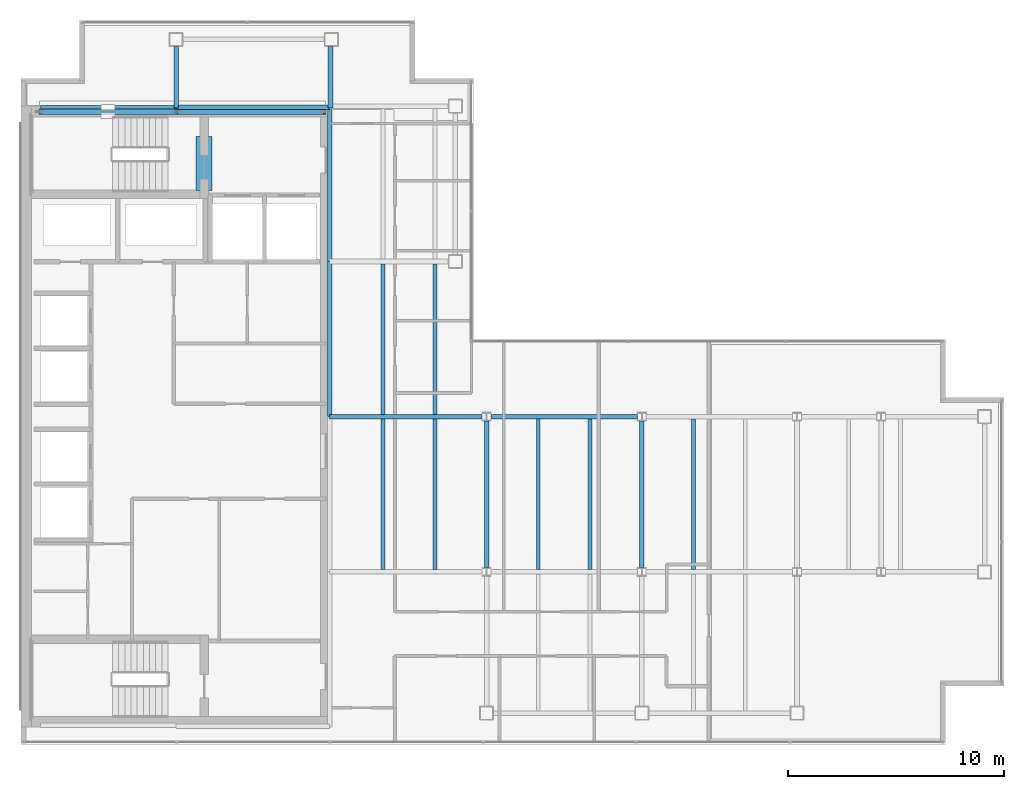
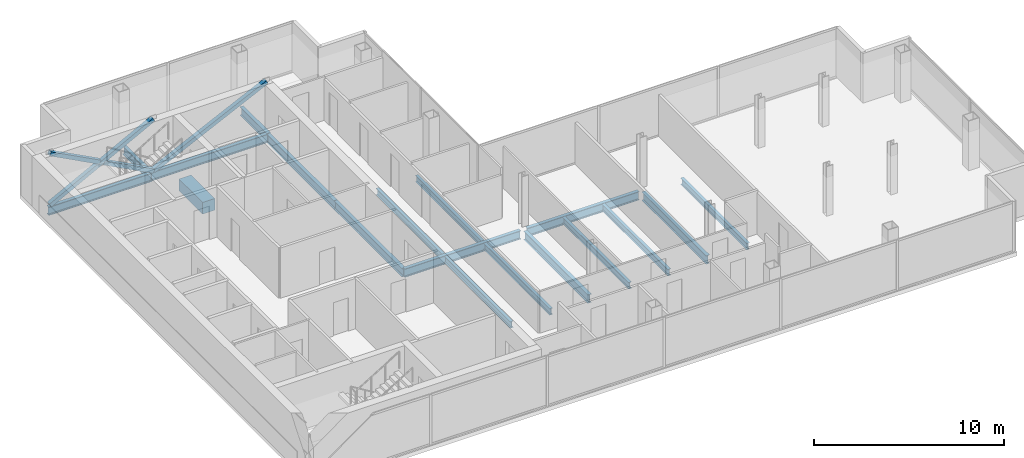
# One storey, part 7 of 23: 18 beams, 4 members.
"""IFC4 building model written with IfcOpenShell, lengths in metres."""

from ifc_helpers import new_model, si_unit, direction, frame, origin, origin_2d, place, context, subcontext, project, spatial, rectangle, hollow_rectangle, i_section, extrude, material, material_profile, profile_set, type_object, element, save


model = new_model("IFC4")

# Units and contexts
model_context = context("Model", 3, precision=1e-05, world=origin(), true_north=direction((0.0, 1.0)))
body_context = subcontext(model_context, "Body", "Model", "MODEL_VIEW")
ifc_project = project(units=[si_unit("LENGTHUNIT", "METRE"), si_unit("AREAUNIT", "SQUARE_METRE"), si_unit("VOLUMEUNIT", "CUBIC_METRE"), si_unit("PLANEANGLEUNIT", "RADIAN"), si_unit("MASSUNIT", "GRAM", prefix="KILO")], contexts=[model_context])

# Site, building, storey
site_placement = place(None, origin())
site = spatial("IfcSite", under=ifc_project, at=site_placement, CompositionType="ELEMENT")
building_placement = place(site_placement, origin())
building = spatial("IfcBuilding", under=site, at=building_placement, Name="Cobrela Telecom Tower", CompositionType="ELEMENT")
storey_placement = place(building_placement, frame((0.0, 0.0, 286.64990234375)))
storey = spatial("IfcBuildingStorey", under=building, at=storey_placement, Name="L75", CompositionType="ELEMENT", Elevation=286.64990234375)

# Beams
ifc_material_1 = material(Name="Concrete C40/50", Category="concrete")
ifc_material_profile_1 = material_profile(ifc_material_1, rectangle(XDim=0.75, YDim=0.75, at=origin_2d()), Name="RC 750x750")
ifc_profile_set_1 = profile_set([ifc_material_profile_1], Name="Concrete C40/50")
beam_type_1 = type_object("IfcBeamType", Name="BM-COUP-RC", PredefinedType="LINTEL", material=ifc_profile_set_1)
beam_1_placement = place(storey_placement, frame((8.5, 32.10009765625, -0.60986328125), z_axis=(0.0, 1.0, 0.0), x_axis=(-1.0, 0.0, 0.0)))
element("IfcBeam", 1, at=beam_1_placement, inside=storey, type_object=beam_type_1, Name="L75 Core Coupling Lintel Beam", PredefinedType="LINTEL", context=body_context, shape_type="SweptSolid", body=[
    extrude(rectangle(XDim=0.75, YDim=0.75, at=origin_2d()), origin(), (0.0, 0.0, 1.0), 2.5),
])
ifc_material_2 = material(Name="Steel ASTM A992 Grade 50", Category="steel")
ifc_material_profile_2 = material_profile(ifc_material_2, i_section(OverallWidth=0.212890625, OverallDepth=0.549072265625, WebThickness=0.0146484375, FlangeThickness=0.023681640625, FilletRadius=0.013916015625, at=origin_2d()), Name="W21X93")
ifc_profile_set_2 = profile_set([ifc_material_profile_2], Name="Steel ASTM A992 Grade 50")
beam_type_2 = type_object("IfcBeamType", Name="BM-GIRD-08", PredefinedType="USERDEFINED", material=ifc_profile_set_2)
beam_2_placement = place(storey_placement, frame((14.324951171875, 21.60009765625, -0.534423828125), z_axis=(1.0, 0.0, 0.0), x_axis=(0.0, 1.0, 0.0)))
element("IfcBeam", 2, at=beam_2_placement, inside=storey, type_object=beam_type_2, Name="L75 Primary Girder X10", ObjectType="GIRDER", PredefinedType="USERDEFINED", context=body_context, shape_type="SweptSolid", body=[
    extrude(i_section(OverallWidth=0.212890625, OverallDepth=0.549072265625, WebThickness=0.0146484375, FlangeThickness=0.023681640625, FilletRadius=0.013916015625, at=origin_2d()), origin(), (0.0, 0.0, 1.0), 7.070556640625),
])
beam_3_placement = place(storey_placement, frame((21.804443359375, 21.60009765625, -0.534423828125), z_axis=(1.0, 0.0, 0.0), x_axis=(0.0, 1.0, 0.0)))
element("IfcBeam", 3, at=beam_3_placement, inside=storey, type_object=beam_type_2, Name="L75 Primary Girder X11", ObjectType="GIRDER", PredefinedType="USERDEFINED", context=body_context, shape_type="SweptSolid", body=[
    extrude(i_section(OverallWidth=0.212890625, OverallDepth=0.549072265625, WebThickness=0.0146484375, FlangeThickness=0.023681640625, FilletRadius=0.013916015625, at=origin_2d()), origin(), (0.0, 0.0, 1.0), 6.791015625),
])
beam_4_placement = place(storey_placement, frame((0.905029296875, 35.919921875, -0.534423828125), z_axis=(1.0, 0.0, 0.0), x_axis=(0.0, 1.0, 0.0)))
element("IfcBeam", 4, at=beam_4_placement, inside=storey, type_object=beam_type_2, Name="L75 Primary Girder X16", ObjectType="GIRDER", PredefinedType="USERDEFINED", context=body_context, shape_type="SweptSolid", body=[
    extrude(i_section(OverallWidth=0.212890625, OverallDepth=0.549072265625, WebThickness=0.0146484375, FlangeThickness=0.023681640625, FilletRadius=0.013916015625, at=origin_2d()), origin(), (0.0, 0.0, 1.0), 6.2900390625),
])
beam_5_placement = place(storey_placement, frame((7.205078125, 35.9599609375, -0.534423828125), z_axis=(1.0, 0.0, 0.0), x_axis=(0.0, 1.0, 0.0)))
element("IfcBeam", 5, at=beam_5_placement, inside=storey, type_object=beam_type_2, Name="L75 Primary Girder X17", ObjectType="GIRDER", PredefinedType="USERDEFINED", context=body_context, shape_type="SweptSolid", body=[
    extrude(i_section(OverallWidth=0.212890625, OverallDepth=0.549072265625, WebThickness=0.0146484375, FlangeThickness=0.023681640625, FilletRadius=0.013916015625, at=origin_2d()), origin(), (0.0, 0.0, 1.0), 7.10986328125),
])
beam_6_placement = place(storey_placement, frame((7.199951171875, 35.925048828125, -0.534423828125), z_axis=(0.0, 1.0, 0.0), x_axis=(-1.0, 0.0, 0.0)))
element("IfcBeam", 6, at=beam_6_placement, inside=storey, type_object=beam_type_2, Name="L75 Primary Girder Y20", ObjectType="GIRDER", PredefinedType="USERDEFINED", context=body_context, shape_type="SweptSolid", body=[
    extrude(i_section(OverallWidth=0.212890625, OverallDepth=0.549072265625, WebThickness=0.0146484375, FlangeThickness=0.023681640625, FilletRadius=0.013916015625, at=origin_2d()), origin(), (0.0, 0.0, 1.0), 2.844970703125),
])
beam_7_placement = place(storey_placement, frame((14.320068359375, 21.60498046875, -0.534423828125), z_axis=(0.0, 1.0, 0.0), x_axis=(-1.0, 0.0, 0.0)))
element("IfcBeam", 7, at=beam_7_placement, inside=storey, type_object=beam_type_2, Name="L75 Primary Girder Y23", ObjectType="GIRDER", PredefinedType="USERDEFINED", context=body_context, shape_type="SweptSolid", body=[
    extrude(i_section(OverallWidth=0.212890625, OverallDepth=0.549072265625, WebThickness=0.0146484375, FlangeThickness=0.023681640625, FilletRadius=0.013916015625, at=origin_2d()), origin(), (0.0, 0.0, 1.0), 7.18994140625),
])
beam_8_placement = place(storey_placement, frame((14.320068359375, 28.804931640625, -0.534423828125), z_axis=(0.0, 1.0, 0.0), x_axis=(-1.0, 0.0, 0.0)))
element("IfcBeam", 8, at=beam_8_placement, inside=storey, type_object=beam_type_2, Name="L75 Primary Girder Y24", ObjectType="GIRDER", PredefinedType="USERDEFINED", context=body_context, shape_type="SweptSolid", body=[
    extrude(i_section(OverallWidth=0.212890625, OverallDepth=0.549072265625, WebThickness=0.0146484375, FlangeThickness=0.023681640625, FilletRadius=0.013916015625, at=origin_2d()), origin(), (0.0, 0.0, 1.0), 7.110107421875),
])
beam_9_placement = place(storey_placement, frame((14.360107421875, 35.925048828125, -0.534423828125), z_axis=(0.0, 1.0, 0.0), x_axis=(-1.0, 0.0, 0.0)))
element("IfcBeam", 9, at=beam_9_placement, inside=storey, type_object=beam_type_2, Name="L75 Primary Girder Y25", ObjectType="GIRDER", PredefinedType="USERDEFINED", context=body_context, shape_type="SweptSolid", body=[
    extrude(i_section(OverallWidth=0.212890625, OverallDepth=0.549072265625, WebThickness=0.0146484375, FlangeThickness=0.023681640625, FilletRadius=0.013916015625, at=origin_2d()), origin(), (0.0, 0.0, 1.0), 2.844970703125),
])
for number, where, z_axis, x_axis, name in (
    (10, (21.60009765625, 14.6044921875, -0.534423828125), (0.0, 1.0, 0.0), (-1.0, 0.0, 0.0), "L75 Primary Girder Y28"),
    (11, (28.800048828125, 14.6044921875, -0.534423828125), (0.0, 1.0, 0.0), (-1.0, 0.0, 0.0), "L75 Primary Girder Y30"),
):
    element("IfcBeam", number, at=place(storey_placement, frame(where, z_axis=z_axis, x_axis=x_axis)), inside=storey, type_object=beam_type_2, Name=name, ObjectType="GIRDER", PredefinedType="USERDEFINED", context=body_context, shape_type="SweptSolid", body=[
        extrude(i_section(OverallWidth=0.212890625, OverallDepth=0.549072265625, WebThickness=0.0146484375, FlangeThickness=0.023681640625, FilletRadius=0.013916015625, at=origin_2d()), origin(), (0.0, 0.0, 1.0), 6.791015625),
    ])
ifc_material_profile_3 = material_profile(ifc_material_2, i_section(OverallWidth=0.179931640625, OverallDepth=0.4169921875, WebThickness=0.010986328125, FlangeThickness=0.01806640625, FilletRadius=0.011962890625, at=origin_2d()), Name="W16X57")
ifc_profile_set_3 = profile_set([ifc_material_profile_3], Name="Steel ASTM A992 Grade 50")
beam_type_3 = type_object("IfcBeamType", Name="BM-JOIST-04", PredefinedType="JOIST", material=ifc_profile_set_3)
for number, where, z_axis, x_axis, name in (
    (12, (16.800048828125, 14.511474609375, -0.468505859375), (0.0, 1.0, 0.0), (-1.0, 0.0, 0.0), "L75 Secondary Composite Floor Beam J01"),
    (13, (16.800048828125, 21.71142578125, -0.468505859375), (0.0, 1.0, 0.0), (-1.0, 0.0, 0.0), "L75 Secondary Composite Floor Beam J02"),
    (14, (19.199951171875, 14.511474609375, -0.468505859375), (0.0, 1.0, 0.0), (-1.0, 0.0, 0.0), "L75 Secondary Composite Floor Beam J04"),
    (15, (19.199951171875, 21.71142578125, -0.468505859375), (0.0, 1.0, 0.0), (-1.0, 0.0, 0.0), "L75 Secondary Composite Floor Beam J05"),
    (16, (24.0, 14.511474609375, -0.468505859375), (0.0, 1.0, 0.0), (-1.0, 0.0, 0.0), "L75 Secondary Composite Floor Beam J08"),
    (17, (26.39990234375, 14.511474609375, -0.468505859375), (0.0, 1.0, 0.0), (-1.0, 0.0, 0.0), "L75 Secondary Composite Floor Beam J10"),
    (18, (31.199951171875, 14.511474609375, -0.468505859375), (0.0, 1.0, 0.0), (-1.0, 0.0, 0.0), "L75 Secondary Composite Floor Beam J12"),
):
    element("IfcBeam", number, at=place(storey_placement, frame(where, z_axis=z_axis, x_axis=x_axis)), inside=storey, type_object=beam_type_3, Name=name, PredefinedType="JOIST", context=body_context, shape_type="SweptSolid", body=[
        extrude(i_section(OverallWidth=0.179931640625, OverallDepth=0.4169921875, WebThickness=0.010986328125, FlangeThickness=0.01806640625, FilletRadius=0.011962890625, at=origin_2d()), origin(), (0.0, 0.0, 1.0), 6.97705078125),
    ])

# Members
ifc_material_3 = material(Name="Steel ASTM A572 Grade 50", Category="steel")
ifc_material_profile_4 = material_profile(ifc_material_3, hollow_rectangle(XDim=0.25, YDim=0.25, WallThickness=0.013916015625, at=origin_2d()), Name="HSS 250x250x14")
ifc_profile_set_4 = profile_set([ifc_material_profile_4], Name="Steel ASTM A572 Grade 50")
member_type = type_object("IfcMemberType", Name="MBR-EXO-04", PredefinedType="BRACE", material=ifc_profile_set_4)
member_1_placement = place(storey_placement, frame((0.89990234375, 35.75, -0.039794921875), z_axis=(0.884686085315, 0.0, 0.466187226821), x_axis=(0.0, 1.0, 0.0)))
element("IfcMember", 19, at=member_1_placement, inside=storey, type_object=member_type, Name="L75 Core Flange Steel X-Brace Continuous A", PredefinedType="BRACE", context=body_context, shape_type="SweptSolid", body=[
    extrude(hollow_rectangle(XDim=0.25, YDim=0.25, WallThickness=0.013916015625, at=origin_2d()), origin(), (0.0, 0.0, 1.0), 7.121337890625),
])
member_2_placement = place(storey_placement, frame((7.199951171875, 35.75, -0.039794921875), z_axis=(-0.884702916743, 0.0, 0.466155284328), x_axis=(0.0, -1.0, 0.0)))
element("IfcMember", 20, at=member_2_placement, inside=storey, type_object=member_type, Name="L75 Core Flange Steel X-Brace Split B1", PredefinedType="BRACE", context=body_context, shape_type="SweptSolid", body=[
    extrude(hollow_rectangle(XDim=0.25, YDim=0.25, WallThickness=0.013916015625, at=origin_2d()), origin(), (0.0, 0.0, 1.0), 3.42041015625),
])
member_3_placement = place(storey_placement, frame((3.926025390625, 35.75, 1.685302734375), z_axis=(-0.884673479945, 0.0, 0.466211147317), x_axis=(0.0, -1.0, 0.0)))
element("IfcMember", 21, at=member_3_placement, inside=storey, type_object=member_type, Name="L75 Core Flange Steel X-Brace Split B2", PredefinedType="BRACE", context=body_context, shape_type="SweptSolid", body=[
    extrude(hollow_rectangle(XDim=0.25, YDim=0.25, WallThickness=0.013916015625, at=origin_2d()), origin(), (0.0, 0.0, 1.0), 3.420654296875),
])
member_4_placement = place(storey_placement, frame((7.199951171875, 35.75, -0.039794921875), z_axis=(0.901127639633, 0.0, 0.433553891793), x_axis=(0.0, 1.0, 0.0)))
element("IfcMember", 22, at=member_4_placement, inside=storey, type_object=member_type, Name="L75 Core Flange Steel Brace N2", PredefinedType="BRACE", context=body_context, shape_type="SweptSolid", body=[
    extrude(hollow_rectangle(XDim=0.25, YDim=0.25, WallThickness=0.013916015625, at=origin_2d()), origin(), (0.0, 0.0, 1.0), 7.6572265625),
])

save(model, "model.ifc")
